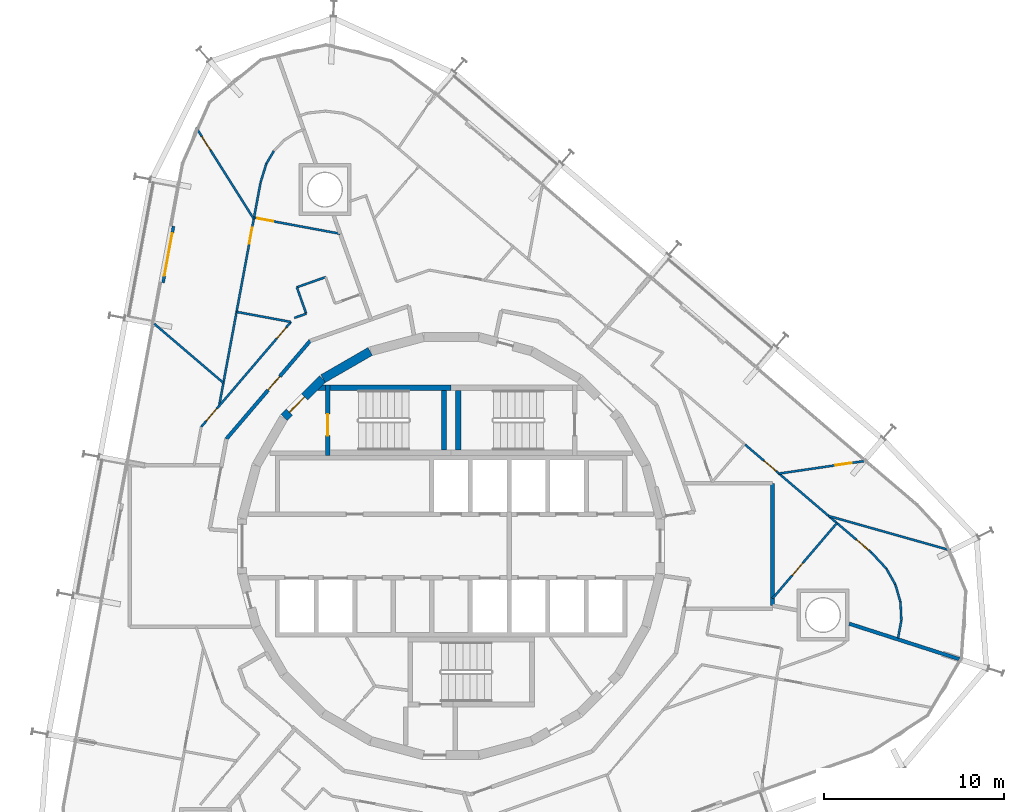
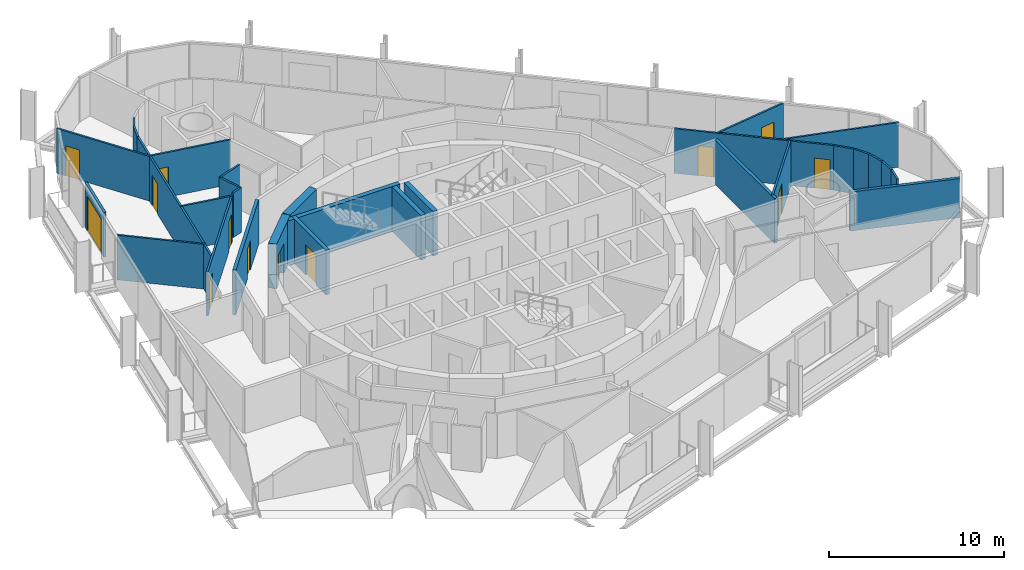
# One storey, part 14 of 17: 31 walls, 13 doors, 13 openings.
"""IFC4 building model written with IfcOpenShell, lengths in metres."""

from ifc_helpers import new_model, si_unit, direction, frame, frame_2d, origin, place, context, subcontext, project, spatial, polyline, rectangle, outline, extrude, material, layer, layer_set, type_object, element, fill, save


model = new_model("IFC4")

# Units and contexts
model_context = context("Model", 3, precision=1e-05, world=origin(), true_north=direction((0.0, 1.0)))
body_context = subcontext(model_context, "Body", "Model", "MODEL_VIEW")
ifc_project = project(units=[si_unit("LENGTHUNIT", "METRE"), si_unit("AREAUNIT", "SQUARE_METRE"), si_unit("VOLUMEUNIT", "CUBIC_METRE"), si_unit("PLANEANGLEUNIT", "RADIAN"), si_unit("MASSUNIT", "GRAM", prefix="KILO")], contexts=[model_context])

# Site, building, storey
site_placement = place(None, origin())
site = spatial("IfcSite", under=ifc_project, at=site_placement, CompositionType="ELEMENT")
building_placement = place(site_placement, origin())
building = spatial("IfcBuilding", under=site, at=building_placement, Name="Spindle Arch Residences", CompositionType="ELEMENT")
storey_placement = place(building_placement, frame((0.0, 0.0, 158.699951171875)))
storey = spatial("IfcBuildingStorey", under=building, at=storey_placement, Name="L39", CompositionType="ELEMENT", Elevation=158.699951171875)

# Wall
ifc_material_1 = material(Name="Concrete C50/60", Category="concrete")
ifc_layer_1 = layer(ifc_material_1, 0.5)
ifc_layer_set_1 = layer_set([ifc_layer_1], Name="Core outline wall 500")
wall_type_1 = type_object("IfcWallType", Name="Core outline wall 500", PredefinedType="SHEAR", material=ifc_layer_set_1)
wall_1_placement = place(storey_placement, frame((-4.510498046875, 10.84521484375, 0.0), z_axis=(0.0, 0.0, 1.0), x_axis=(-0.865975092491, -0.500087131594, 0.0)))
element("IfcWall", 1, at=wall_1_placement, inside=storey, type_object=wall_type_1, Name="Core outline wall 14", PredefinedType="SHEAR", context=body_context, shape_type="SweptSolid", body=[
    extrude(rectangle(XDim=3.03271484375, YDim=0.5, at=frame_2d((1.516357421875, 0.0))), origin(), (0.0, 0.0, 1.0), 3.1201171875),
])

# Wall, opening, door
wall_2_placement = place(storey_placement, frame((-7.163818359375, 9.30810546875, 0.0), z_axis=(0.0, 0.0, 1.0), x_axis=(-0.707106781187, -0.707106781187, 0.0)))
wall_2 = element("IfcWall", 2, at=wall_2_placement, inside=storey, type_object=wall_type_1, Name="Core outline wall 15", PredefinedType="SHEAR", context=body_context, shape_type="SweptSolid", body=[
    extrude(rectangle(XDim=3.032470703125, YDim=0.5, at=frame_2d((1.51611328125, 0.0))), origin(), (0.0, 0.0, 1.0), 3.1201171875),
])
opening_1_placement = place(wall_2_placement, frame((1.416259765625, 0.0, 0.0)))
opening_1 = element("IfcOpeningElement", 3, at=opening_1_placement, cuts=wall_2, Name="Opening R4A0-AD02", PredefinedType="OPENING", context=body_context, shape_type="SweptSolid", body=[
    extrude(rectangle(XDim=1.199951171875, YDim=2.10009765625, at=frame_2d((0.60009765625, 1.050048828125))), frame((0.0, 0.260009765625, 0.0), z_axis=(0.0, -1.0, 0.0), x_axis=(1.0, 0.0, 0.0)), (0.0, 0.0, 1.0), 0.52001953125),
])
ifc_material_2 = material(Name="Steel, fire-resisting door", Category="steel")
door_type_1 = type_object("IfcDoorType", Name="Stair airlock door 1200x2100", OperationType="SINGLE_SWING_LEFT", PredefinedType="DOOR", material=ifc_material_2)
door_1_placement = place(opening_1_placement, origin())
door_1 = element("IfcDoor", 4, at=door_1_placement, inside=storey, type_object=door_type_1, Name="Stair airlock door R4A0-AD02", OperationType="SINGLE_SWING_RIGHT", OverallHeight=2.10009765625, OverallWidth=1.199951171875, PredefinedType="DOOR", context=body_context, shape_type="SweptSolid", body=[
    extrude(rectangle(XDim=1.199951171875, YDim=2.10009765625, at=frame_2d((0.60009765625, 1.050048828125))), frame((0.0, 0.02490234375, 0.0), z_axis=(0.0, -1.0, 0.0), x_axis=(1.0, 0.0, 0.0)), (0.0, 0.0, 1.0), 0.050048828125),
])
fill(opening_1, door_1)

ifc_material_3 = material(Name="Calcium silicate block, plastered")
ifc_layer_2 = layer(ifc_material_3, 0.199951171875)
ifc_layer_set_2 = layer_set([ifc_layer_2], Name="Corridor wall 200")
wall_type_2 = type_object("IfcWallType", Name="Corridor wall 200", PredefinedType="STANDARD", material=ifc_layer_set_2)
wall_3_placement = place(storey_placement, frame((-7.857666015625, 11.432861328125, 0.0), z_axis=(0.0, 0.0, 1.0), x_axis=(-0.649440801937, -0.760412154545, 0.0)))
wall_3 = element("IfcWall", 5, at=wall_3_placement, inside=storey, type_object=wall_type_2, Name="Corridor wall R4A0-W011", PredefinedType="STANDARD", context=body_context, shape_type="SweptSolid", body=[
    extrude(rectangle(XDim=7.180908203125, YDim=0.199951171875, at=frame_2d((3.59033203125, 0.0))), origin(), (0.0, 0.0, 1.0), 3.1201171875),
])
opening_2_placement = place(wall_3_placement, frame((2.60009765625, 0.0, 0.0)))
opening_2 = element("IfcOpeningElement", 6, at=opening_2_placement, cuts=wall_3, Name="Opening R4A0-FD03", PredefinedType="OPENING", context=body_context, shape_type="SweptSolid", body=[
    extrude(rectangle(XDim=1.0, YDim=2.10009765625, at=frame_2d((0.5, 1.050048828125))), frame((0.0, 0.10986328125, 0.0), z_axis=(0.0, -1.0, 0.0), x_axis=(1.0, 0.0, 0.0)), (0.0, 0.0, 1.0), 0.219970703125),
])
ifc_material_4 = material(Name="Timber, fire-resisting door set", Category="wood")
door_type_2 = type_object("IfcDoorType", Name="Flat entrance door 1000x2100", OperationType="NOTDEFINED", PredefinedType="DOOR", material=ifc_material_4)
door_2_placement = place(opening_2_placement, origin())
door_2 = element("IfcDoor", 7, at=door_2_placement, inside=storey, type_object=door_type_2, Name="Flat entrance door R4A0-FD03", OperationType="SINGLE_SWING_LEFT", OverallHeight=2.10009765625, OverallWidth=1.0, PredefinedType="DOOR", context=body_context, shape_type="SweptSolid", body=[
    extrude(rectangle(XDim=1.0, YDim=2.10009765625, at=frame_2d((0.5, 1.050048828125))), frame((0.0, 0.02490234375, 0.0), z_axis=(0.0, -1.0, 0.0), x_axis=(1.0, 0.0, 0.0)), (0.0, 0.0, 1.0), 0.050048828125),
])
fill(opening_2, door_2)

# Wall
ifc_material_5 = material(Name="Calcium silicate block, plastered")
ifc_layer_3 = layer(ifc_material_5, 0.199951171875)
ifc_layer_set_3 = layer_set([ifc_layer_3], Name="Fire-lift lobby bay wall 200")
wall_type_3 = type_object("IfcWallType", Name="Fire-lift lobby bay wall 200", PredefinedType="STANDARD", material=ifc_layer_set_3)
wall_4_placement = place(storey_placement, frame((17.89990234375, -3.317626953125, 0.0), z_axis=(0.0, 0.0, 1.0), x_axis=(0.0, 1.0, 0.0)))
element("IfcWall", 8, at=wall_4_placement, inside=storey, type_object=wall_type_3, Name="Fire-lift lobby bay wall R4A0-W025", PredefinedType="STANDARD", context=body_context, shape_type="SweptSolid", body=[
    extrude(rectangle(XDim=6.817626953125, YDim=0.199951171875, at=frame_2d((3.40869140625, 0.0))), origin(), (0.0, 0.0, 1.0), 3.1201171875),
])

# Wall, openings, doors
ifc_material_6 = material(Name="Plasterboard on steel studs", Category="steel")
ifc_layer_4 = layer(ifc_material_6, 0.1201171875)
ifc_layer_set_4 = layer_set([ifc_layer_4], Name="Flat partition 120")
wall_type_4 = type_object("IfcWallType", Name="Flat partition 120", PredefinedType="PARTITIONING", material=ifc_layer_set_4)
wall_5_placement = place(storey_placement, frame((23.411376953125, -0.35693359375, 0.0), z_axis=(0.0, 0.0, 1.0), x_axis=(-0.76041871148, 0.649433124525, 0.0)))
wall_5 = element("IfcWall", 9, at=wall_5_placement, inside=storey, type_object=wall_type_4, Name="Flat partition R4A0-W044", PredefinedType="PARTITIONING", context=body_context, shape_type="SweptSolid", body=[
    extrude(rectangle(XDim=9.2587890625, YDim=0.1201171875, at=frame_2d((4.62939453125, 0.0))), origin(), (0.0, 0.0, 1.0), 3.1201171875),
])
opening_3_placement = place(wall_5_placement, frame((6.971923828125, 0.0, 0.0)))
opening_3 = element("IfcOpeningElement", 10, at=opening_3_placement, cuts=wall_5, Name="Opening R4A0-ID02", PredefinedType="OPENING", context=body_context, shape_type="SweptSolid", body=[
    extrude(rectangle(XDim=0.89990234375, YDim=2.10009765625, at=frame_2d((0.449951171875, 1.050048828125))), frame((0.0, 0.070068359375, 0.0), z_axis=(0.0, -1.0, 0.0), x_axis=(1.0, 0.0, 0.0)), (0.0, 0.0, 1.0), 0.14013671875),
])
opening_4_placement = place(wall_5_placement, frame((0.199951171875, 0.0, 0.0)))
opening_4 = element("IfcOpeningElement", 11, at=opening_4_placement, cuts=wall_5, Name="Opening R4A0-ID05", PredefinedType="OPENING", context=body_context, shape_type="SweptSolid", body=[
    extrude(rectangle(XDim=0.89990234375, YDim=2.10009765625, at=frame_2d((0.449951171875, 1.050048828125))), frame((0.0, 0.070068359375, 0.0), z_axis=(0.0, -1.0, 0.0), x_axis=(1.0, 0.0, 0.0)), (0.0, 0.0, 1.0), 0.14013671875),
])
ifc_material_7 = material(Name="Timber door set", Category="wood")
door_type_3 = type_object("IfcDoorType", Name="Room door 900x2100", OperationType="NOTDEFINED", PredefinedType="DOOR", material=ifc_material_7)
door_3_placement = place(opening_3_placement, origin())
door_3 = element("IfcDoor", 12, at=door_3_placement, inside=storey, type_object=door_type_3, Name="Room door R4A0-ID02", OperationType="SINGLE_SWING_RIGHT", OverallHeight=2.10009765625, OverallWidth=0.89990234375, PredefinedType="DOOR", context=body_context, shape_type="SweptSolid", body=[
    extrude(rectangle(XDim=0.89990234375, YDim=2.10009765625, at=frame_2d((0.449951171875, 1.050048828125))), frame((0.0, 0.02490234375, 0.0), z_axis=(0.0, -1.0, 0.0), x_axis=(1.0, 0.0, 0.0)), (0.0, 0.0, 1.0), 0.050048828125),
])
fill(opening_3, door_3)
door_4_placement = place(opening_4_placement, origin())
door_4 = element("IfcDoor", 13, at=door_4_placement, inside=storey, type_object=door_type_3, Name="Room door R4A0-ID05", OperationType="SINGLE_SWING_LEFT", OverallHeight=2.10009765625, OverallWidth=0.89990234375, PredefinedType="DOOR", context=body_context, shape_type="SweptSolid", body=[
    extrude(rectangle(XDim=0.89990234375, YDim=2.10009765625, at=frame_2d((0.449951171875, 1.050048828125))), frame((0.0, 0.02490234375, 0.0), z_axis=(0.0, -1.0, 0.0), x_axis=(1.0, 0.0, 0.0)), (0.0, 0.0, 1.0), 0.050048828125),
])
fill(opening_4, door_4)

# Wall, opening, door
wall_6_placement = place(storey_placement, frame((17.89990234375, -2.91845703125, 0.0), z_axis=(0.0, 0.0, 1.0), x_axis=(0.649469887983, 0.760387312232, 0.0)))
wall_6 = element("IfcWall", 14, at=wall_6_placement, inside=storey, type_object=wall_type_4, Name="Flat partition R4A0-W046", PredefinedType="PARTITIONING", context=body_context, shape_type="SweptSolid", body=[
    extrude(rectangle(XDim=5.52685546875, YDim=0.1201171875, at=frame_2d((2.763427734375, 0.0))), origin(), (0.0, 0.0, 1.0), 3.1201171875),
])
opening_5_placement = place(wall_6_placement, frame((1.699951171875, 0.0, 0.0)))
opening_5 = element("IfcOpeningElement", 15, at=opening_5_placement, cuts=wall_6, Name="Opening R4A0-ID04", PredefinedType="OPENING", context=body_context, shape_type="SweptSolid", body=[
    extrude(rectangle(XDim=0.89990234375, YDim=2.10009765625, at=frame_2d((0.449951171875, 1.050048828125))), frame((0.0, 0.070068359375, 0.0), z_axis=(0.0, -1.0, 0.0), x_axis=(1.0, 0.0, 0.0)), (0.0, 0.0, 1.0), 0.14013671875),
])
door_5_placement = place(opening_5_placement, origin())
door_5 = element("IfcDoor", 16, at=door_5_placement, inside=storey, type_object=door_type_3, Name="Room door R4A0-ID04", OperationType="SINGLE_SWING_LEFT", OverallHeight=2.10009765625, OverallWidth=0.89990234375, PredefinedType="DOOR", context=body_context, shape_type="SweptSolid", body=[
    extrude(rectangle(XDim=0.89990234375, YDim=2.10009765625, at=frame_2d((0.449951171875, 1.050048828125))), frame((0.0, 0.02490234375, 0.0), z_axis=(0.0, -1.0, 0.0), x_axis=(1.0, 0.0, 0.0)), (0.0, 0.0, 1.0), 0.050048828125),
])
fill(opening_5, door_5)

wall_7_placement = place(storey_placement, frame((22.99365234375, 4.73388671875, 0.0), z_axis=(0.0, 0.0, 1.0), x_axis=(-0.989449286977, -0.144879634529, 0.0)))
wall_7 = element("IfcWall", 17, at=wall_7_placement, inside=storey, type_object=wall_type_4, Name="Flat partition R4A0-W047", PredefinedType="PARTITIONING", context=body_context, shape_type="SweptSolid", body=[
    extrude(rectangle(XDim=4.782470703125, YDim=0.1201171875, at=frame_2d((2.39111328125, 0.0))), origin(), (0.0, 0.0, 1.0), 3.1201171875),
])
opening_6_placement = place(wall_7_placement, frame((0.699951171875, 0.0, 0.0)))
opening_6 = element("IfcOpeningElement", 18, at=opening_6_placement, cuts=wall_7, Name="Opening R4A0-ID03", PredefinedType="OPENING", context=body_context, shape_type="SweptSolid", body=[
    extrude(rectangle(XDim=0.89990234375, YDim=2.10009765625, at=frame_2d((0.449951171875, 1.050048828125))), frame((0.0, 0.070068359375, 0.0), z_axis=(0.0, -1.0, 0.0), x_axis=(1.0, 0.0, 0.0)), (0.0, 0.0, 1.0), 0.14013671875),
])
door_6_placement = place(opening_6_placement, origin())
door_6 = element("IfcDoor", 19, at=door_6_placement, inside=storey, type_object=door_type_3, Name="Room door R4A0-ID03", OperationType="SINGLE_SWING_LEFT", OverallHeight=2.10009765625, OverallWidth=0.89990234375, PredefinedType="DOOR", context=body_context, shape_type="SweptSolid", body=[
    extrude(rectangle(XDim=0.89990234375, YDim=2.10009765625, at=frame_2d((0.449951171875, 1.050048828125))), frame((0.0, 0.02490234375, 0.0), z_axis=(0.0, -1.0, 0.0), x_axis=(1.0, 0.0, 0.0)), (0.0, 0.0, 1.0), 0.050048828125),
])
fill(opening_6, door_6)

# Walls
wall_8_placement = place(storey_placement, frame((21.029052734375, 1.677490234375, 0.0), z_axis=(0.0, 0.0, 1.0), x_axis=(0.962458274539, -0.271429677396, 0.0)))
element("IfcWall", 20, at=wall_8_placement, inside=storey, type_object=wall_type_4, Name="Flat partition R4A0-W048", PredefinedType="PARTITIONING", context=body_context, shape_type="SweptSolid", body=[
    extrude(rectangle(XDim=7.037353515625, YDim=0.1201171875, at=frame_2d((3.5185546875, 0.0))), origin(), (0.0, 0.0, 1.0), 3.1201171875),
])
for number, where, z_axis, x_axis, name in (
    (21, (24.893798828125, -5.130615234375, 0.0), (0.0, 0.0, 1.0), (0.182140887528, 0.983272442963, 0.0), "Flat partition R4A0-W049"),
    (22, (25.078857421875, -4.131591796875, 0.0), (0.0, 0.0, 1.0), (-0.049494233422, 0.998774409393, 0.0), "Flat partition R4A0-W050"),
):
    element("IfcWall", number, at=place(storey_placement, frame(where, z_axis=z_axis, x_axis=x_axis)), inside=storey, type_object=wall_type_4, Name=name, PredefinedType="PARTITIONING", context=body_context, shape_type="SweptSolid", body=[
        extrude(rectangle(XDim=1.01611328125, YDim=0.1201171875, at=frame_2d((0.508056640625, 0.0))), origin(), (0.0, 0.0, 1.0), 3.1201171875),
    ])
for number, where, z_axis, x_axis, name in (
    (23, (25.028564453125, -3.11669921875, 0.0), (0.0, 0.0, 1.0), (-0.278559922069, 0.96041885124, 0.0), "Flat partition R4A0-W051"),
    (24, (24.74560546875, -2.14111328125, 0.0), (0.0, 0.0, 1.0), (-0.492199796518, 0.870482257319, 0.0), "Flat partition R4A0-W052"),
):
    element("IfcWall", number, at=place(storey_placement, frame(where, z_axis=z_axis, x_axis=x_axis)), inside=storey, type_object=wall_type_4, Name=name, PredefinedType="PARTITIONING", context=body_context, shape_type="SweptSolid", body=[
        extrude(rectangle(XDim=1.015869140625, YDim=0.1201171875, at=frame_2d((0.5078125, 0.0))), origin(), (0.0, 0.0, 1.0), 3.1201171875),
    ])
wall_9_placement = place(storey_placement, frame((24.24560546875, -1.2568359375, 0.0), z_axis=(0.0, 0.0, 1.0), x_axis=(-0.679840361176, 0.733360132074, 0.0)))
element("IfcWall", 25, at=wall_9_placement, inside=storey, type_object=wall_type_4, Name="Flat partition R4A0-W053", PredefinedType="PARTITIONING", context=body_context, shape_type="SweptSolid", body=[
    extrude(rectangle(XDim=1.22705078125, YDim=0.1201171875, at=frame_2d((0.613525390625, 0.0))), origin(), (0.0, 0.0, 1.0), 3.1201171875),
])
wall_10_placement = place(storey_placement, frame((-6.993408203125, 14.98681640625, 0.0), z_axis=(0.0, 0.0, 1.0), x_axis=(-0.942599915297, -0.33392424243, 0.0)))
element("IfcWall", 26, at=wall_10_placement, inside=storey, type_object=wall_type_4, Name="Flat partition R4A0-W070", PredefinedType="PARTITIONING", context=body_context, shape_type="SweptSolid", body=[
    extrude(rectangle(XDim=1.699951171875, YDim=0.1201171875, at=frame_2d((0.85009765625, 0.0))), origin(), (0.0, 0.0, 1.0), 3.1201171875),
])
wall_11_placement = place(storey_placement, frame((-8.595703125, 14.419189453125, 0.0), z_axis=(0.0, 0.0, 1.0), x_axis=(0.333670576497, -0.942689740254, 0.0)))
element("IfcWall", 27, at=wall_11_placement, inside=storey, type_object=wall_type_4, Name="Flat partition R4A0-W071", PredefinedType="PARTITIONING", context=body_context, shape_type="SweptSolid", body=[
    extrude(rectangle(XDim=1.5615234375, YDim=0.1201171875, at=frame_2d((0.78076171875, 0.0))), origin(), (0.0, 0.0, 1.0), 3.1201171875),
])
wall_12_placement = place(storey_placement, frame((-8.07470703125, 12.947265625, 0.0), z_axis=(0.0, 0.0, 1.0), x_axis=(-0.942649994227, -0.33378284615, 0.0)))
element("IfcWall", 28, at=wall_12_placement, inside=storey, type_object=wall_type_4, Name="Flat partition R4A0-W072", PredefinedType="PARTITIONING", context=body_context, shape_type="SweptSolid", body=[
    extrude(rectangle(XDim=0.702880859375, YDim=0.1201171875, at=frame_2d((0.3515625, 0.0))), origin(), (0.0, 0.0, 1.0), 3.1201171875),
])

# Wall, openings, doors
wall_13_placement = place(storey_placement, frame((-8.9287109375, 12.48828125, 0.0), z_axis=(0.0, 0.0, 1.0), x_axis=(-0.64944646045, -0.760407321775, 0.0)))
wall_13 = element("IfcWall", 29, at=wall_13_placement, inside=storey, type_object=wall_type_4, Name="Flat partition R4A0-W073", PredefinedType="PARTITIONING", context=body_context, shape_type="SweptSolid", body=[
    extrude(rectangle(XDim=7.68994140625, YDim=0.1201171875, at=frame_2d((3.844970703125, 0.0))), origin(), (0.0, 0.0, 1.0), 3.1201171875),
])
opening_7_placement = place(wall_13_placement, frame((0.39990234375, 0.0, 0.0)))
opening_7 = element("IfcOpeningElement", 30, at=opening_7_placement, cuts=wall_13, Name="Opening R4A0-BD03", PredefinedType="OPENING", context=body_context, shape_type="SweptSolid", body=[
    extrude(rectangle(XDim=0.800048828125, YDim=2.10009765625, at=frame_2d((0.39990234375, 1.050048828125))), frame((0.0, 0.070068359375, 0.0), z_axis=(0.0, -1.0, 0.0), x_axis=(1.0, 0.0, 0.0)), (0.0, 0.0, 1.0), 0.14013671875),
])
opening_8_placement = place(wall_13_placement, frame((6.35595703125, 0.0, 0.0)))
opening_8 = element("IfcOpeningElement", 31, at=opening_8_placement, cuts=wall_13, Name="Opening R4A0-ID12", PredefinedType="OPENING", context=body_context, shape_type="SweptSolid", body=[
    extrude(rectangle(XDim=0.89990234375, YDim=2.10009765625, at=frame_2d((0.449951171875, 1.050048828125))), frame((0.0, 0.070068359375, 0.0), z_axis=(0.0, -1.0, 0.0), x_axis=(1.0, 0.0, 0.0)), (0.0, 0.0, 1.0), 0.14013671875),
])
ifc_material_8 = material(Name="Timber door set", Category="wood")
door_type_4 = type_object("IfcDoorType", Name="Bathroom door 800x2100", OperationType="NOTDEFINED", PredefinedType="DOOR", material=ifc_material_8)
door_7_placement = place(opening_7_placement, origin())
door_7 = element("IfcDoor", 32, at=door_7_placement, inside=storey, type_object=door_type_4, Name="Bathroom door R4A0-BD03", OperationType="SINGLE_SWING_LEFT", OverallHeight=2.10009765625, OverallWidth=0.800048828125, PredefinedType="DOOR", context=body_context, shape_type="SweptSolid", body=[
    extrude(rectangle(XDim=0.800048828125, YDim=2.10009765625, at=frame_2d((0.39990234375, 1.050048828125))), frame((0.0, 0.02490234375, 0.0), z_axis=(0.0, -1.0, 0.0), x_axis=(1.0, 0.0, 0.0)), (0.0, 0.0, 1.0), 0.050048828125),
])
fill(opening_7, door_7)
door_8_placement = place(opening_8_placement, origin())
door_8 = element("IfcDoor", 33, at=door_8_placement, inside=storey, type_object=door_type_3, Name="Room door R4A0-ID12", OperationType="SINGLE_SWING_LEFT", OverallHeight=2.10009765625, OverallWidth=0.89990234375, PredefinedType="DOOR", context=body_context, shape_type="SweptSolid", body=[
    extrude(rectangle(XDim=0.89990234375, YDim=2.10009765625, at=frame_2d((0.449951171875, 1.050048828125))), frame((0.0, 0.02490234375, 0.0), z_axis=(0.0, -1.0, 0.0), x_axis=(1.0, 0.0, 0.0)), (0.0, 0.0, 1.0), 0.050048828125),
])
fill(opening_8, door_8)

# Walls
wall_14_placement = place(storey_placement, frame((-9.876708984375, 22.014404296875, 0.0), z_axis=(0.0, 0.0, 1.0), x_axis=(-0.507766478099, -0.861494749676, 0.0)))
element("IfcWall", 34, at=wall_14_placement, inside=storey, type_object=wall_type_4, Name="Flat partition R4A0-W078", PredefinedType="PARTITIONING", context=body_context, shape_type="SweptSolid", body=[
    extrude(rectangle(XDim=0.828857421875, YDim=0.1201171875, at=frame_2d((0.41455078125, 0.0))), origin(), (0.0, 0.0, 1.0), 3.1201171875),
])
wall_15_placement = place(storey_placement, frame((-10.297607421875, 21.30029296875, 0.0), z_axis=(0.0, 0.0, 1.0), x_axis=(-0.295127342945, -0.955457927617, 0.0)))
element("IfcWall", 35, at=wall_15_placement, inside=storey, type_object=wall_type_4, Name="Flat partition R4A0-W079", PredefinedType="PARTITIONING", context=body_context, shape_type="SweptSolid", body=[
    extrude(rectangle(XDim=1.0869140625, YDim=0.1201171875, at=frame_2d((0.54345703125, 0.0))), origin(), (0.0, 0.0, 1.0), 3.1201171875),
])

# Wall, opening, door
wall_16_placement = place(storey_placement, frame((-10.618408203125, 20.26171875, 0.0), z_axis=(0.0, 0.0, 1.0), x_axis=(-0.182222468274, -0.983257327487, 0.0)))
wall_16 = element("IfcWall", 36, at=wall_16_placement, inside=storey, type_object=wall_type_4, Name="Flat partition R4A0-W080", PredefinedType="PARTITIONING", context=body_context, shape_type="SweptSolid", body=[
    extrude(rectangle(XDim=12.66650390625, YDim=0.1201171875, at=frame_2d((6.333251953125, 0.0))), origin(), (0.0, 0.0, 1.0), 3.1201171875),
])
opening_9_placement = place(wall_16_placement, frame((2.570068359375, 0.0, 0.0)))
opening_9 = element("IfcOpeningElement", 37, at=opening_9_placement, cuts=wall_16, Name="Opening R4A0-ID14", PredefinedType="OPENING", context=body_context, shape_type="SweptSolid", body=[
    extrude(rectangle(XDim=0.89990234375, YDim=2.10009765625, at=frame_2d((0.449951171875, 1.050048828125))), frame((0.0, 0.070068359375, 0.0), z_axis=(0.0, -1.0, 0.0), x_axis=(1.0, 0.0, 0.0)), (0.0, 0.0, 1.0), 0.14013671875),
])
door_9_placement = place(opening_9_placement, origin())
door_9 = element("IfcDoor", 38, at=door_9_placement, inside=storey, type_object=door_type_3, Name="Room door R4A0-ID14", OperationType="SINGLE_SWING_LEFT", OverallHeight=2.10009765625, OverallWidth=0.89990234375, PredefinedType="DOOR", context=body_context, shape_type="SweptSolid", body=[
    extrude(rectangle(XDim=0.89990234375, YDim=2.10009765625, at=frame_2d((0.449951171875, 1.050048828125))), frame((0.0, 0.02490234375, 0.0), z_axis=(0.0, -1.0, 0.0), x_axis=(1.0, 0.0, 0.0)), (0.0, 0.0, 1.0), 0.050048828125),
])
fill(opening_9, door_9)

wall_17_placement = place(storey_placement, frame((-10.983642578125, 18.291259765625, 0.0), z_axis=(0.0, 0.0, 1.0), x_axis=(0.98324782266, -0.182273748068, 0.0)))
wall_17 = element("IfcWall", 39, at=wall_17_placement, inside=storey, type_object=wall_type_4, Name="Flat partition R4A0-W081", PredefinedType="PARTITIONING", context=body_context, shape_type="SweptSolid", body=[
    extrude(rectangle(XDim=4.880859375, YDim=0.1201171875, at=frame_2d((2.4404296875, 0.0))), origin(), (0.0, 0.0, 1.0), 3.1201171875),
])
opening_10_placement = place(wall_17_placement, frame((0.199951171875, 0.0, 0.0)))
opening_10 = element("IfcOpeningElement", 40, at=opening_10_placement, cuts=wall_17, Name="Opening R4A0-ID13", PredefinedType="OPENING", context=body_context, shape_type="SweptSolid", body=[
    extrude(rectangle(XDim=0.89990234375, YDim=2.10009765625, at=frame_2d((0.449951171875, 1.050048828125))), frame((0.0, 0.070068359375, 0.0), z_axis=(0.0, -1.0, 0.0), x_axis=(1.0, 0.0, 0.0)), (0.0, 0.0, 1.0), 0.14013671875),
])
door_10_placement = place(opening_10_placement, origin())
door_10 = element("IfcDoor", 41, at=door_10_placement, inside=storey, type_object=door_type_3, Name="Room door R4A0-ID13", OperationType="SINGLE_SWING_LEFT", OverallHeight=2.10009765625, OverallWidth=0.89990234375, PredefinedType="DOOR", context=body_context, shape_type="SweptSolid", body=[
    extrude(rectangle(XDim=0.89990234375, YDim=2.10009765625, at=frame_2d((0.449951171875, 1.050048828125))), frame((0.0, 0.02490234375, 0.0), z_axis=(0.0, -1.0, 0.0), x_axis=(1.0, 0.0, 0.0)), (0.0, 0.0, 1.0), 0.050048828125),
])
fill(opening_10, door_10)

wall_18_placement = place(storey_placement, frame((-14.210693359375, 23.326416015625, 0.0), z_axis=(0.0, 0.0, 1.0), x_axis=(0.533278244906, -0.845939899467, 0.0)))
wall_18 = element("IfcWall", 42, at=wall_18_placement, inside=storey, type_object=wall_type_4, Name="Flat partition R4A0-W082", PredefinedType="PARTITIONING", context=body_context, shape_type="SweptSolid", body=[
    extrude(rectangle(XDim=6.02880859375, YDim=0.1201171875, at=frame_2d((3.014404296875, 0.0))), origin(), (0.0, 0.0, 1.0), 3.1201171875),
])
opening_11_placement = place(wall_18_placement, frame((0.60009765625, 0.0, 0.0)))
opening_11 = element("IfcOpeningElement", 43, at=opening_11_placement, cuts=wall_18, Name="Opening R4A0-ID15", PredefinedType="OPENING", context=body_context, shape_type="SweptSolid", body=[
    extrude(rectangle(XDim=0.89990234375, YDim=2.10009765625, at=frame_2d((0.449951171875, 1.050048828125))), frame((0.0, 0.070068359375, 0.0), z_axis=(0.0, -1.0, 0.0), x_axis=(1.0, 0.0, 0.0)), (0.0, 0.0, 1.0), 0.14013671875),
])
door_11_placement = place(opening_11_placement, origin())
door_11 = element("IfcDoor", 44, at=door_11_placement, inside=storey, type_object=door_type_3, Name="Room door R4A0-ID15", OperationType="SINGLE_SWING_LEFT", OverallHeight=2.10009765625, OverallWidth=0.89990234375, PredefinedType="DOOR", context=body_context, shape_type="SweptSolid", body=[
    extrude(rectangle(XDim=0.89990234375, YDim=2.10009765625, at=frame_2d((0.449951171875, 1.050048828125))), frame((0.0, 0.02490234375, 0.0), z_axis=(0.0, -1.0, 0.0), x_axis=(1.0, 0.0, 0.0)), (0.0, 0.0, 1.0), 0.050048828125),
])
fill(opening_11, door_11)

# Walls
wall_19_placement = place(storey_placement, frame((-11.955078125, 13.04931640625, 0.0), z_axis=(0.0, 0.0, 1.0), x_axis=(0.983247271586, -0.182276720725, 0.0)))
element("IfcWall", 45, at=wall_19_placement, inside=storey, type_object=wall_type_4, Name="Flat partition R4A0-W083", PredefinedType="PARTITIONING", context=body_context, shape_type="SweptSolid", body=[
    extrude(rectangle(XDim=3.077880859375, YDim=0.1201171875, at=frame_2d((1.5390625, 0.0))), origin(), (0.0, 0.0, 1.0), 3.1201171875),
])
wall_20_placement = place(storey_placement, frame((-16.551513671875, 12.393798828125, 0.0), z_axis=(0.0, 0.0, 1.0), x_axis=(0.760425586578, -0.649425074414, 0.0)))
element("IfcWall", 46, at=wall_20_placement, inside=storey, type_object=wall_type_4, Name="Flat partition R4A0-W084", PredefinedType="PARTITIONING", context=body_context, shape_type="SweptSolid", body=[
    extrude(rectangle(XDim=5.080810546875, YDim=0.1201171875, at=frame_2d((2.54052734375, 0.0))), origin(), (0.0, 0.0, 1.0), 3.1201171875),
])
ifc_material_9 = material(Name="Calcium silicate block, plastered")
ifc_layer_5 = layer(ifc_material_9, 0.199951171875)
ifc_layer_set_5 = layer_set([ifc_layer_5], Name="Flat party wall 200 under beam 2730")
wall_type_5 = type_object("IfcWallType", Name="Flat party wall 200 under beam 2730", PredefinedType="STANDARD", material=ifc_layer_set_5)
wall_21_placement = place(storey_placement, frame((22.173095703125, -4.322021484375, 0.0), z_axis=(0.0, 0.0, 1.0), x_axis=(0.951906405572, -0.306388960362, 0.0)))
element("IfcWall", 47, at=wall_21_placement, inside=storey, type_object=wall_type_5, Name="Flat party wall R4A0-W028", PredefinedType="STANDARD", context=body_context, shape_type="SweptSolid", body=[
    extrude(rectangle(XDim=6.450439453125, YDim=0.199951171875, at=frame_2d((3.22509765625, 0.0))), origin(), (0.0, 0.0, 1.0), 2.72998046875),
])

# Wall, opening, door
ifc_material_10 = material(Name="Non-combustible mineral wool insulated aluminium faced external wall (K0)", Category="aluminium")
ifc_layer_6 = layer(ifc_material_10, 0.159912109375)
ifc_layer_set_6 = layer_set([ifc_layer_6], Name="Insulated external wall panel 160")
wall_type_6 = type_object("IfcWallType", Name="Insulated external wall panel 160", PredefinedType="STANDARD", material=ifc_layer_set_6)
wall_22_placement = place(storey_placement, frame((-15.465087890625, 17.816650390625, 0.0), z_axis=(0.0, 0.0, 1.0), x_axis=(-0.182201278434, -0.983261254264, 0.0)))
wall_22 = element("IfcWall", 48, at=wall_22_placement, inside=storey, type_object=wall_type_6, Name="External wall L39 bay 13", PredefinedType="STANDARD", context=body_context, shape_type="SweptSolid", body=[
    extrude(rectangle(XDim=3.19970703125, YDim=0.159912109375, at=frame_2d((1.599853515625, 0.0))), origin(), (0.0, 0.0, 1.0), 3.1201171875),
])
opening_12_placement = place(wall_22_placement, frame((0.39990234375, 0.0, 0.0)))
opening_12 = element("IfcOpeningElement", 49, at=opening_12_placement, cuts=wall_22, Name="Opening BD13", PredefinedType="OPENING", context=body_context, shape_type="SweptSolid", body=[
    extrude(rectangle(XDim=2.39990234375, YDim=2.39990234375, at=frame_2d((1.199951171875, 1.199951171875))), frame((0.0, 0.08984375, 0.0), z_axis=(0.0, -1.0, 0.0), x_axis=(1.0, 0.0, 0.0)), (0.0, 0.0, 1.0), 0.179931640625),
])
ifc_material_11 = material(Name="Bronze aluminium frame, tinted double glazing", Category="aluminium")
door_type_5 = type_object("IfcDoorType", Name="Sliding glazed balcony door 2400x2400", OperationType="DOUBLE_DOOR_SLIDING", PredefinedType="DOOR", material=ifc_material_11)
door_12_placement = place(opening_12_placement, origin())
door_12 = element("IfcDoor", 50, at=door_12_placement, inside=storey, type_object=door_type_5, Name="Balcony door BD13", OperationType="DOUBLE_DOOR_SLIDING", OverallHeight=2.39990234375, OverallWidth=2.39990234375, PredefinedType="DOOR", context=body_context, shape_type="SweptSolid", body=[
    extrude(rectangle(XDim=2.39990234375, YDim=2.39990234375, at=frame_2d((1.199951171875, 1.199951171875))), frame((0.0, 0.02490234375, 0.0), z_axis=(0.0, -1.0, 0.0), x_axis=(1.0, 0.0, 0.0)), (0.0, 0.0, 1.0), 0.050048828125),
])
fill(opening_12, door_12)

# Wall
ifc_material_12 = material(Name="Concrete C40/50", Category="concrete")
wall_type_7 = type_object("IfcWallType", Name="Stair airlock wall profile", PredefinedType="SHEAR", material=ifc_material_12)
wall_23_placement = place(storey_placement, origin())
element("IfcWall", 51, at=wall_23_placement, inside=storey, type_object=wall_type_7, Name="Stair ST-2 airlock wall N", PredefinedType="SHEAR", context=body_context, shape_type="SweptSolid", body=[
    extrude(outline(polyline([(-7.148193359375, 8.969970703125), (-7.0, 8.969970703125), (-7.0, 8.669921875), (-7.4482421875, 8.669921875), (-7.148193359375, 8.969970703125)])), origin(), (0.0, 0.0, 1.0), 3.1201171875),
])

# Wall, opening, door
ifc_material_13 = material(Name="Concrete C50/60", Category="concrete")
ifc_layer_7 = layer(ifc_material_13, 0.25)
ifc_layer_set_7 = layer_set([ifc_layer_7], Name="Stair enclosure wall 250")
wall_type_8 = type_object("IfcWallType", Name="Stair enclosure wall 250", PredefinedType="SHEAR", material=ifc_layer_set_7)
wall_24_placement = place(storey_placement, frame((-6.875, 8.969970703125, 0.0), z_axis=(0.0, 0.0, 1.0), x_axis=(0.0, -1.0, 0.0)))
wall_24 = element("IfcWall", 52, at=wall_24_placement, inside=storey, type_object=wall_type_8, Name="Stair ST-2 door wall", PredefinedType="SHEAR", context=body_context, shape_type="SweptSolid", body=[
    extrude(rectangle(XDim=3.919921875, YDim=0.25, at=frame_2d((1.9599609375, 0.0))), origin(), (0.0, 0.0, 1.0), 3.1201171875),
])
opening_13_placement = place(wall_24_placement, frame((1.610107421875, 0.0, 0.0)))
opening_13 = element("IfcOpeningElement", 53, at=opening_13_placement, cuts=wall_24, Name="Opening R4A0-SD02", PredefinedType="OPENING", context=body_context, shape_type="SweptSolid", body=[
    extrude(rectangle(XDim=1.199951171875, YDim=2.10009765625, at=frame_2d((0.60009765625, 1.050048828125))), frame((0.0, 0.135009765625, 0.0), z_axis=(0.0, -1.0, 0.0), x_axis=(1.0, 0.0, 0.0)), (0.0, 0.0, 1.0), 0.27001953125),
])
ifc_material_14 = material(Name="Steel, fire-resisting door", Category="steel")
door_type_6 = type_object("IfcDoorType", Name="Stair door 1200x2100", OperationType="SINGLE_SWING_RIGHT", PredefinedType="DOOR", material=ifc_material_14)
door_13_placement = place(opening_13_placement, origin())
door_13 = element("IfcDoor", 54, at=door_13_placement, inside=storey, type_object=door_type_6, Name="Stair door R4A0-SD02", OperationType="SINGLE_SWING_LEFT", OverallHeight=2.10009765625, OverallWidth=1.199951171875, PredefinedType="DOOR", context=body_context, shape_type="SweptSolid", body=[
    extrude(rectangle(XDim=1.199951171875, YDim=2.10009765625, at=frame_2d((0.60009765625, 1.050048828125))), frame((0.0, 0.02490234375, 0.0), z_axis=(0.0, -1.0, 0.0), x_axis=(1.0, 0.0, 0.0)), (0.0, 0.0, 1.0), 0.050048828125),
])
fill(opening_13, door_13)

# Walls
ifc_material_15 = material(Name="Concrete C50/60", Category="concrete")
ifc_layer_8 = layer(ifc_material_15, 0.300048828125)
ifc_layer_set_8 = layer_set([ifc_layer_8], Name="Stair enclosure wall 300")
wall_type_9 = type_object("IfcWallType", Name="Stair enclosure wall 300", PredefinedType="SHEAR", material=ifc_layer_set_8)
wall_25_placement = place(storey_placement, frame((0.39990234375, 5.35009765625, 0.0), z_axis=(0.0, 0.0, 1.0), x_axis=(0.0, 1.0, 0.0)))
element("IfcWall", 55, at=wall_25_placement, inside=storey, type_object=wall_type_9, Name="Stair ST-1 enclosure wall F", PredefinedType="SHEAR", context=body_context, shape_type="SweptSolid", body=[
    extrude(rectangle(XDim=3.31982421875, YDim=0.300048828125, at=frame_2d((1.659912109375, 0.0))), origin(), (0.0, 0.0, 1.0), 3.1201171875),
])
wall_26_placement = place(storey_placement, frame((-6.75, 8.820068359375, 0.0), z_axis=(0.0, 0.0, 1.0), x_axis=(1.0, 0.0, 0.0)))
element("IfcWall", 56, at=wall_26_placement, inside=storey, type_object=wall_type_9, Name="Stair ST-2 enclosure wall N", PredefinedType="SHEAR", context=body_context, shape_type="SweptSolid", body=[
    extrude(rectangle(XDim=6.75, YDim=0.300048828125, at=frame_2d((3.375, 0.0))), origin(), (0.0, 0.0, 1.0), 3.1201171875),
])
wall_27_placement = place(storey_placement, frame((-0.39990234375, 5.35009765625, 0.0), z_axis=(0.0, 0.0, 1.0), x_axis=(0.0, 1.0, 0.0)))
element("IfcWall", 57, at=wall_27_placement, inside=storey, type_object=wall_type_9, Name="Stair ST-2 enclosure wall F", PredefinedType="SHEAR", context=body_context, shape_type="SweptSolid", body=[
    extrude(rectangle(XDim=3.31982421875, YDim=0.300048828125, at=frame_2d((1.659912109375, 0.0))), origin(), (0.0, 0.0, 1.0), 3.1201171875),
])

save(model, "model.ifc")
